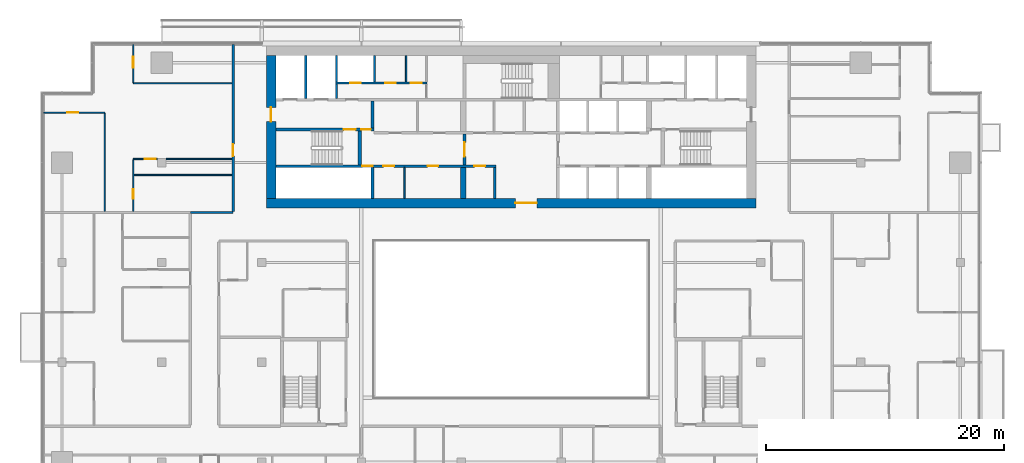
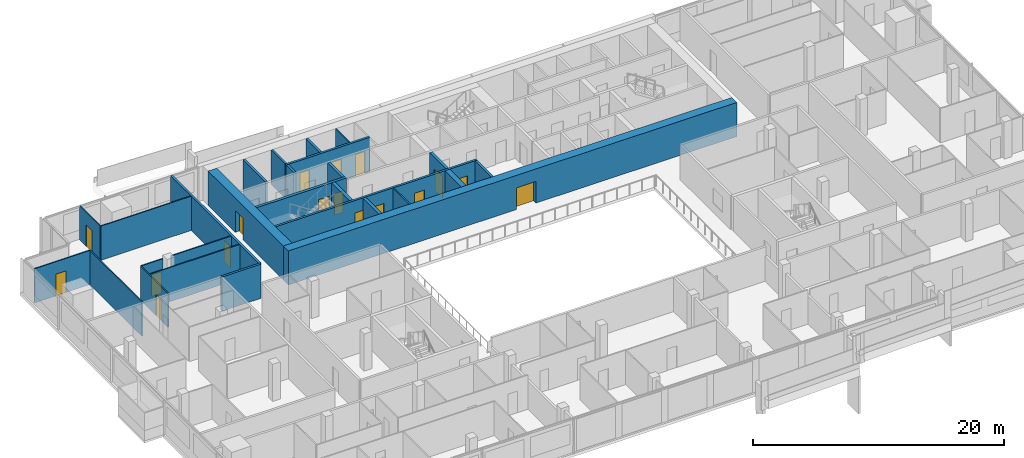
# One storey, part 20 of 28: 27 walls, 17 doors, 17 openings.
"""IFC4 building model written with IfcOpenShell, lengths in metres."""

from ifc_helpers import new_model, si_unit, direction, frame, frame_2d, origin, place, context, subcontext, project, spatial, rectangle, extrude, material, layer, layer_set, type_object, element, fill, save


model = new_model("IFC4")

# Units and contexts
model_context = context("Model", 3, precision=1e-05, world=origin(), true_north=direction((0.0, 1.0)))
body_context = subcontext(model_context, "Body", "Model", "MODEL_VIEW")
ifc_project = project(units=[si_unit("LENGTHUNIT", "METRE"), si_unit("AREAUNIT", "SQUARE_METRE"), si_unit("VOLUMEUNIT", "CUBIC_METRE"), si_unit("PLANEANGLEUNIT", "RADIAN"), si_unit("MASSUNIT", "GRAM", prefix="KILO")], contexts=[model_context])

# Site, building, storey
site_placement = place(None, origin())
site = spatial("IfcSite", under=ifc_project, at=site_placement, CompositionType="ELEMENT")
building_placement = place(site_placement, origin())
building = spatial("IfcBuilding", under=site, at=building_placement, Name="Saffron Gate Tower", CompositionType="ELEMENT")
storey_placement = place(building_placement, frame((0.0, 0.0, 176.25)))
storey = spatial("IfcBuildingStorey", under=building, at=storey_placement, Name="L43", CompositionType="ELEMENT", Elevation=176.25)

# Wall
ifc_material_1 = material(Name="Gypsum board partition on steel studs", Category="steel")
ifc_layer_1 = layer(ifc_material_1, 0.199951171875)
ifc_layer_set_1 = layer_set([ifc_layer_1], Name="CW10 Core partition 200")
wall_type_1 = type_object("IfcWallType", Name="CW10 Core partition 200", PredefinedType="PARTITIONING", material=ifc_layer_set_1)
wall_1_placement = place(storey_placement, frame((86.199951171875, 62.39990234375, 0.0), z_axis=(0.0, 0.0, 1.0), x_axis=(0.0, 1.0, 0.0)))
element("IfcWall", 1, at=wall_1_placement, inside=storey, type_object=wall_type_1, Name="Wall CW10-L43-8", PredefinedType="PARTITIONING", context=body_context, shape_type="SweptSolid", body=[
    extrude(rectangle(XDim=2.60009765625, YDim=0.199951171875, at=frame_2d((1.300048828125, 0.0))), origin(), (0.0, 0.0, 1.0), 3.320068359375),
])

# Wall, opening, door
ifc_material_2 = material(Name="Concrete C60", Category="concrete")
ifc_layer_2 = layer(ifc_material_2, 0.800048828125)
ifc_layer_set_2 = layer_set([ifc_layer_2], Name="CW13 RC core wall 800 C60")
wall_type_2 = type_object("IfcWallType", Name="CW13 RC core wall 800 C60", PredefinedType="SOLIDWALL", material=ifc_layer_set_2)
wall_2_placement = place(storey_placement, frame((67.0, 62.0, 0.0), z_axis=(0.0, 0.0, 1.0), x_axis=(1.0, 0.0, 0.0)))
wall_2 = element("IfcWall", 2, at=wall_2_placement, inside=storey, type_object=wall_type_2, Name="Wall CW13-L43-1", PredefinedType="SOLIDWALL", context=body_context, shape_type="SweptSolid", body=[
    extrude(rectangle(XDim=41.199951171875, YDim=0.800048828125, at=frame_2d((20.60009765625, 0.0))), origin(), (0.0, 0.0, 1.0), 3.320068359375),
])
opening_1_placement = place(wall_2_placement, frame((20.949951171875, 0.0, 0.0)))
opening_1 = element("IfcOpeningElement", 3, at=opening_1_placement, cuts=wall_2, Name="Opening CR-09", PredefinedType="OPENING", context=body_context, shape_type="SweptSolid", body=[
    extrude(rectangle(XDim=1.800048828125, YDim=2.10009765625, at=frame_2d((0.89990234375, 1.050048828125))), frame((0.0, 0.41015625, 0.0), z_axis=(0.0, -1.0, 0.0), x_axis=(1.0, 0.0, 0.0)), (0.0, 0.0, 1.0), 0.820068359375),
])
ifc_material_3 = material(Name="Steel fire door set", Category="steel")
door_type_1 = type_object("IfcDoorType", Name="CD1 Core entrance door 1800x2100 EI 120", OperationType="NOTDEFINED", PredefinedType="DOOR", material=ifc_material_3)
door_1_placement = place(opening_1_placement, origin())
door_1 = element("IfcDoor", 4, at=door_1_placement, inside=storey, type_object=door_type_1, Name="DOOR CR-09", OperationType="DOUBLE_DOOR_SINGLE_SWING", OverallHeight=2.10009765625, OverallWidth=1.800048828125, PredefinedType="DOOR", context=body_context, shape_type="SweptSolid", body=[
    extrude(rectangle(XDim=1.800048828125, YDim=2.10009765625, at=frame_2d((0.89990234375, 1.050048828125))), frame((0.0, 0.02490234375, 0.0), z_axis=(0.0, -1.0, 0.0), x_axis=(1.0, 0.0, 0.0)), (0.0, 0.0, 1.0), 0.050048828125),
])
fill(opening_1, door_1)

wall_3_placement = place(storey_placement, frame((67.39990234375, 62.39990234375, 0.0), z_axis=(0.0, 0.0, 1.0), x_axis=(0.0, 1.0, 0.0)))
wall_3 = element("IfcWall", 5, at=wall_3_placement, inside=storey, type_object=wall_type_2, Name="Wall CW13-L43-3", PredefinedType="SOLIDWALL", context=body_context, shape_type="SweptSolid", body=[
    extrude(rectangle(XDim=12.0, YDim=0.800048828125, at=frame_2d((6.0, 0.0))), origin(), (0.0, 0.0, 1.0), 3.320068359375),
])
opening_2_placement = place(wall_3_placement, frame((6.449951171875, 0.0, 0.0)))
opening_2 = element("IfcOpeningElement", 6, at=opening_2_placement, cuts=wall_3, Name="Opening CR-10", PredefinedType="OPENING", context=body_context, shape_type="SweptSolid", body=[
    extrude(rectangle(XDim=1.199951171875, YDim=2.10009765625, at=frame_2d((0.60009765625, 1.050048828125))), frame((0.0, 0.41015625, 0.0), z_axis=(0.0, -1.0, 0.0), x_axis=(1.0, 0.0, 0.0)), (0.0, 0.0, 1.0), 0.820068359375),
])
door_type_2 = type_object("IfcDoorType", Name="CD7 Core entrance door 1200x2100 EI 120", OperationType="NOTDEFINED", PredefinedType="DOOR", material=ifc_material_3)
door_2_placement = place(opening_2_placement, origin())
door_2 = element("IfcDoor", 7, at=door_2_placement, inside=storey, type_object=door_type_2, Name="DOOR CR-10", OperationType="SINGLE_SWING_LEFT", OverallHeight=2.10009765625, OverallWidth=1.199951171875, PredefinedType="DOOR", context=body_context, shape_type="SweptSolid", body=[
    extrude(rectangle(XDim=1.199951171875, YDim=2.10009765625, at=frame_2d((0.60009765625, 1.050048828125))), frame((0.0, 0.02490234375, 0.0), z_axis=(0.0, -1.0, 0.0), x_axis=(1.0, 0.0, 0.0)), (0.0, 0.0, 1.0), 0.050048828125),
])
fill(opening_2, door_2)

# Wall
ifc_layer_3 = layer(ifc_material_2, 0.25)
ifc_layer_set_3 = layer_set([ifc_layer_3], Name="CW14 RC core wall 250 C60")
wall_type_3 = type_object("IfcWallType", Name="CW14 RC core wall 250 C60", PredefinedType="SOLIDWALL", material=ifc_layer_set_3)
wall_4_placement = place(storey_placement, frame((75.925048828125, 62.39990234375, 0.0), z_axis=(0.0, 0.0, 1.0), x_axis=(0.0, 1.0, 0.0)))
element("IfcWall", 8, at=wall_4_placement, inside=storey, type_object=wall_type_3, Name="Wall CW14-L43-5", PredefinedType="SOLIDWALL", context=body_context, shape_type="SweptSolid", body=[
    extrude(rectangle(XDim=2.60009765625, YDim=0.25, at=frame_2d((1.300048828125, 0.0))), origin(), (0.0, 0.0, 1.0), 3.320068359375),
])

# Wall, opening, door
wall_5_placement = place(storey_placement, frame((83.675048828125, 65.199951171875, 0.0), z_axis=(0.0, 0.0, 1.0), x_axis=(0.0, 1.0, 0.0)))
wall_5 = element("IfcWall", 9, at=wall_5_placement, inside=storey, type_object=wall_type_3, Name="Wall CW14-L43-16", PredefinedType="SOLIDWALL", context=body_context, shape_type="SweptSolid", body=[
    extrude(rectangle(XDim=2.60009765625, YDim=0.25, at=frame_2d((1.300048828125, 0.0))), origin(), (0.0, 0.0, 1.0), 3.320068359375),
])
opening_3_placement = place(wall_5_placement, frame((0.699951171875, 0.0, 0.0)))
opening_3 = element("IfcOpeningElement", 10, at=opening_3_placement, cuts=wall_5, Name="Opening CR-07", PredefinedType="OPENING", context=body_context, shape_type="SweptSolid", body=[
    extrude(rectangle(XDim=1.199951171875, YDim=2.10009765625, at=frame_2d((0.60009765625, 1.050048828125))), frame((0.0, 0.135009765625, 0.0), z_axis=(0.0, -1.0, 0.0), x_axis=(1.0, 0.0, 0.0)), (0.0, 0.0, 1.0), 0.27001953125),
])
door_type_3 = type_object("IfcDoorType", Name="CD3 Lobby door 1200x2100 EI 120", OperationType="NOTDEFINED", PredefinedType="DOOR", material=ifc_material_3)
door_3_placement = place(opening_3_placement, origin())
door_3 = element("IfcDoor", 11, at=door_3_placement, inside=storey, type_object=door_type_3, Name="DOOR CR-07", OperationType="SINGLE_SWING_RIGHT", OverallHeight=2.10009765625, OverallWidth=1.199951171875, PredefinedType="DOOR", context=body_context, shape_type="SweptSolid", body=[
    extrude(rectangle(XDim=1.199951171875, YDim=2.10009765625, at=frame_2d((0.60009765625, 1.050048828125))), frame((0.0, 0.02490234375, 0.0), z_axis=(0.0, -1.0, 0.0), x_axis=(1.0, 0.0, 0.0)), (0.0, 0.0, 1.0), 0.050048828125),
])
fill(opening_3, door_3)

# Wall, openings, doors
wall_6_placement = place(storey_placement, frame((67.800048828125, 68.175048828125, 0.0), z_axis=(0.0, 0.0, 1.0), x_axis=(1.0, 0.0, 0.0)))
wall_6 = element("IfcWall", 12, at=wall_6_placement, inside=storey, type_object=wall_type_3, Name="Wall CW14-L43-28", PredefinedType="SOLIDWALL", context=body_context, shape_type="SweptSolid", body=[
    extrude(rectangle(XDim=8.25, YDim=0.25, at=frame_2d((4.125, 0.0))), origin(), (0.0, 0.0, 1.0), 3.320068359375),
])
opening_4_placement = place(wall_6_placement, frame((5.699951171875, 0.0, 0.0)))
opening_4 = element("IfcOpeningElement", 13, at=opening_4_placement, cuts=wall_6, Name="Opening CR-15", PredefinedType="OPENING", context=body_context, shape_type="SweptSolid", body=[
    extrude(rectangle(XDim=1.0, YDim=2.10009765625, at=frame_2d((0.5, 1.050048828125))), frame((0.0, 0.135009765625, 0.0), z_axis=(0.0, -1.0, 0.0), x_axis=(1.0, 0.0, 0.0)), (0.0, 0.0, 1.0), 0.27001953125),
])
opening_5_placement = place(wall_6_placement, frame((7.199951171875, 0.0, 0.0)))
opening_5 = element("IfcOpeningElement", 14, at=opening_5_placement, cuts=wall_6, Name="Opening CR-06", PredefinedType="OPENING", context=body_context, shape_type="SweptSolid", body=[
    extrude(rectangle(XDim=0.800048828125, YDim=2.10009765625, at=frame_2d((0.39990234375, 1.050048828125))), frame((0.0, 0.135009765625, 0.0), z_axis=(0.0, -1.0, 0.0), x_axis=(1.0, 0.0, 0.0)), (0.0, 0.0, 1.0), 0.27001953125),
])
door_type_4 = type_object("IfcDoorType", Name="CD5 Stair door 1000x2100 EI 120", OperationType="NOTDEFINED", PredefinedType="DOOR", material=ifc_material_3)
door_4_placement = place(opening_4_placement, origin())
door_4 = element("IfcDoor", 15, at=door_4_placement, inside=storey, type_object=door_type_4, Name="DOOR CR-15", OperationType="SINGLE_SWING_RIGHT", OverallHeight=2.10009765625, OverallWidth=1.0, PredefinedType="DOOR", context=body_context, shape_type="SweptSolid", body=[
    extrude(rectangle(XDim=1.0, YDim=2.10009765625, at=frame_2d((0.5, 1.050048828125))), frame((0.0, 0.02490234375, 0.0), z_axis=(0.0, -1.0, 0.0), x_axis=(1.0, 0.0, 0.0)), (0.0, 0.0, 1.0), 0.050048828125),
])
fill(opening_4, door_4)
door_type_5 = type_object("IfcDoorType", Name="CD6 Lobby door 800x2100 EI 120", OperationType="NOTDEFINED", PredefinedType="DOOR", material=ifc_material_3)
door_5_placement = place(opening_5_placement, origin())
door_5 = element("IfcDoor", 16, at=door_5_placement, inside=storey, type_object=door_type_5, Name="DOOR CR-06", OperationType="SINGLE_SWING_LEFT", OverallHeight=2.10009765625, OverallWidth=0.800048828125, PredefinedType="DOOR", context=body_context, shape_type="SweptSolid", body=[
    extrude(rectangle(XDim=0.800048828125, YDim=2.10009765625, at=frame_2d((0.39990234375, 1.050048828125))), frame((0.0, 0.02490234375, 0.0), z_axis=(0.0, -1.0, 0.0), x_axis=(1.0, 0.0, 0.0)), (0.0, 0.0, 1.0), 0.050048828125),
])
fill(opening_5, door_5)

# Wall
wall_7_placement = place(storey_placement, frame((75.925048828125, 68.300048828125, 0.0), z_axis=(0.0, 0.0, 1.0), x_axis=(0.0, 1.0, 0.0)))
element("IfcWall", 17, at=wall_7_placement, inside=storey, type_object=wall_type_3, Name="Wall CW14-L43-30", PredefinedType="SOLIDWALL", context=body_context, shape_type="SweptSolid", body=[
    extrude(rectangle(XDim=2.300048828125, YDim=0.25, at=frame_2d((1.14990234375, 0.0))), origin(), (0.0, 0.0, 1.0), 3.320068359375),
])

# Wall, openings, doors
ifc_layer_4 = layer(ifc_material_2, 0.199951171875)
ifc_layer_set_4 = layer_set([ifc_layer_4], Name="CW15 RC core wall 200 C60")
wall_type_4 = type_object("IfcWallType", Name="CW15 RC core wall 200 C60", PredefinedType="SOLIDWALL", material=ifc_layer_set_4)
wall_8_placement = place(storey_placement, frame((67.800048828125, 65.10009765625, 0.0), z_axis=(0.0, 0.0, 1.0), x_axis=(1.0, 0.0, 0.0)))
wall_8 = element("IfcWall", 18, at=wall_8_placement, inside=storey, type_object=wall_type_4, Name="Wall CW15-L43-13", PredefinedType="SOLIDWALL", context=body_context, shape_type="SweptSolid", body=[
    extrude(rectangle(XDim=18.5, YDim=0.199951171875, at=frame_2d((9.25, 0.0))), origin(), (0.0, 0.0, 1.0), 3.320068359375),
])
opening_6_placement = place(wall_8_placement, frame((7.27001953125, 0.0, 0.0)))
opening_6 = element("IfcOpeningElement", 19, at=opening_6_placement, cuts=wall_8, Name="Opening CR-49", PredefinedType="OPENING", context=body_context, shape_type="SweptSolid", body=[
    extrude(rectangle(XDim=0.89990234375, YDim=2.10009765625, at=frame_2d((0.449951171875, 1.050048828125))), frame((0.0, 0.10986328125, 0.0), z_axis=(0.0, -1.0, 0.0), x_axis=(1.0, 0.0, 0.0)), (0.0, 0.0, 1.0), 0.219970703125),
])
opening_7_placement = place(wall_8_placement, frame((9.050048828125, 0.0, 0.0)))
opening_7 = element("IfcOpeningElement", 20, at=opening_7_placement, cuts=wall_8, Name="Opening CR-64", PredefinedType="OPENING", context=body_context, shape_type="SweptSolid", body=[
    extrude(rectangle(XDim=0.89990234375, YDim=2.10009765625, at=frame_2d((0.449951171875, 1.050048828125))), frame((0.0, 0.10986328125, 0.0), z_axis=(0.0, -1.0, 0.0), x_axis=(1.0, 0.0, 0.0)), (0.0, 0.0, 1.0), 0.219970703125),
])
opening_8_placement = place(wall_8_placement, frame((12.760009765625, 0.0, 0.0)))
opening_8 = element("IfcOpeningElement", 21, at=opening_8_placement, cuts=wall_8, Name="Opening CR-65", PredefinedType="OPENING", context=body_context, shape_type="SweptSolid", body=[
    extrude(rectangle(XDim=0.89990234375, YDim=2.10009765625, at=frame_2d((0.449951171875, 1.050048828125))), frame((0.0, 0.10986328125, 0.0), z_axis=(0.0, -1.0, 0.0), x_axis=(1.0, 0.0, 0.0)), (0.0, 0.0, 1.0), 0.219970703125),
])
opening_9_placement = place(wall_8_placement, frame((16.699951171875, 0.0, 0.0)))
opening_9 = element("IfcOpeningElement", 22, at=opening_9_placement, cuts=wall_8, Name="Opening CR-69", PredefinedType="OPENING", context=body_context, shape_type="SweptSolid", body=[
    extrude(rectangle(XDim=0.89990234375, YDim=2.10009765625, at=frame_2d((0.449951171875, 1.050048828125))), frame((0.0, 0.10986328125, 0.0), z_axis=(0.0, -1.0, 0.0), x_axis=(1.0, 0.0, 0.0)), (0.0, 0.0, 1.0), 0.219970703125),
])
door_type_6 = type_object("IfcDoorType", Name="CD2 Riser door 900x2100 EI 60", OperationType="NOTDEFINED", PredefinedType="DOOR", material=ifc_material_3)
door_6_placement = place(opening_6_placement, origin())
door_6 = element("IfcDoor", 23, at=door_6_placement, inside=storey, type_object=door_type_6, Name="DOOR CR-49", OperationType="SINGLE_SWING_LEFT", OverallHeight=2.10009765625, OverallWidth=0.89990234375, PredefinedType="DOOR", context=body_context, shape_type="SweptSolid", body=[
    extrude(rectangle(XDim=0.89990234375, YDim=2.10009765625, at=frame_2d((0.449951171875, 1.050048828125))), frame((0.0, 0.02490234375, 0.0), z_axis=(0.0, -1.0, 0.0), x_axis=(1.0, 0.0, 0.0)), (0.0, 0.0, 1.0), 0.050048828125),
])
fill(opening_6, door_6)
door_type_7 = type_object("IfcDoorType", Name="CD9 Room door 900x2100 EI 60", OperationType="NOTDEFINED", PredefinedType="DOOR", material=ifc_material_3)
door_7_placement = place(opening_7_placement, origin())
door_7 = element("IfcDoor", 24, at=door_7_placement, inside=storey, type_object=door_type_7, Name="DOOR CR-64", OperationType="SINGLE_SWING_RIGHT", OverallHeight=2.10009765625, OverallWidth=0.89990234375, PredefinedType="DOOR", context=body_context, shape_type="SweptSolid", body=[
    extrude(rectangle(XDim=0.89990234375, YDim=2.10009765625, at=frame_2d((0.449951171875, 1.050048828125))), frame((0.0, 0.02490234375, 0.0), z_axis=(0.0, -1.0, 0.0), x_axis=(1.0, 0.0, 0.0)), (0.0, 0.0, 1.0), 0.050048828125),
])
fill(opening_7, door_7)
door_8_placement = place(opening_8_placement, origin())
door_8 = element("IfcDoor", 25, at=door_8_placement, inside=storey, type_object=door_type_7, Name="DOOR CR-65", OperationType="SINGLE_SWING_RIGHT", OverallHeight=2.10009765625, OverallWidth=0.89990234375, PredefinedType="DOOR", context=body_context, shape_type="SweptSolid", body=[
    extrude(rectangle(XDim=0.89990234375, YDim=2.10009765625, at=frame_2d((0.449951171875, 1.050048828125))), frame((0.0, 0.02490234375, 0.0), z_axis=(0.0, -1.0, 0.0), x_axis=(1.0, 0.0, 0.0)), (0.0, 0.0, 1.0), 0.050048828125),
])
fill(opening_8, door_8)
door_9_placement = place(opening_9_placement, origin())
door_9 = element("IfcDoor", 26, at=door_9_placement, inside=storey, type_object=door_type_7, Name="DOOR CR-69", OperationType="SINGLE_SWING_RIGHT", OverallHeight=2.10009765625, OverallWidth=0.89990234375, PredefinedType="DOOR", context=body_context, shape_type="SweptSolid", body=[
    extrude(rectangle(XDim=0.89990234375, YDim=2.10009765625, at=frame_2d((0.449951171875, 1.050048828125))), frame((0.0, 0.02490234375, 0.0), z_axis=(0.0, -1.0, 0.0), x_axis=(1.0, 0.0, 0.0)), (0.0, 0.0, 1.0), 0.050048828125),
])
fill(opening_9, door_9)

# Walls
wall_9_placement = place(storey_placement, frame((70.300048828125, 70.800048828125, 0.0), z_axis=(0.0, 0.0, 1.0), x_axis=(0.0, 1.0, 0.0)))
element("IfcWall", 27, at=wall_9_placement, inside=storey, type_object=wall_type_4, Name="Wall CW15-L43-33", PredefinedType="SOLIDWALL", context=body_context, shape_type="SweptSolid", body=[
    extrude(rectangle(XDim=3.599853515625, YDim=0.199951171875, at=frame_2d((1.7998046875, 0.0))), origin(), (0.0, 0.0, 1.0), 3.320068359375),
])
wall_10_placement = place(storey_placement, frame((72.89990234375, 70.800048828125, 0.0), z_axis=(0.0, 0.0, 1.0), x_axis=(0.0, 1.0, 0.0)))
element("IfcWall", 28, at=wall_10_placement, inside=storey, type_object=wall_type_4, Name="Wall CW15-L43-34", PredefinedType="SOLIDWALL", context=body_context, shape_type="SweptSolid", body=[
    extrude(rectangle(XDim=1.199951171875, YDim=0.199951171875, at=frame_2d((0.60009765625, 0.0))), origin(), (0.0, 0.0, 1.0), 3.320068359375),
])

# Wall, openings, doors
wall_11_placement = place(storey_placement, frame((72.800048828125, 72.10009765625, 0.0), z_axis=(0.0, 0.0, 1.0), x_axis=(1.0, 0.0, 0.0)))
wall_11 = element("IfcWall", 29, at=wall_11_placement, inside=storey, type_object=wall_type_4, Name="Wall CW15-L43-41", PredefinedType="SOLIDWALL", context=body_context, shape_type="SweptSolid", body=[
    extrude(rectangle(XDim=7.719970703125, YDim=0.199951171875, at=frame_2d((3.85986328125, 0.0))), origin(), (0.0, 0.0, 1.0), 3.320068359375),
])
opening_10_placement = place(wall_11_placement, frame((1.25, 0.0, 0.0)))
opening_10 = element("IfcOpeningElement", 30, at=opening_10_placement, cuts=wall_11, Name="Opening CR-71", PredefinedType="OPENING", context=body_context, shape_type="SweptSolid", body=[
    extrude(rectangle(XDim=0.89990234375, YDim=2.10009765625, at=frame_2d((0.449951171875, 1.050048828125))), frame((0.0, 0.10986328125, 0.0), z_axis=(0.0, -1.0, 0.0), x_axis=(1.0, 0.0, 0.0)), (0.0, 0.0, 1.0), 0.219970703125),
])
opening_11_placement = place(wall_11_placement, frame((4.199951171875, 0.0, 0.0)))
opening_11 = element("IfcOpeningElement", 31, at=opening_11_placement, cuts=wall_11, Name="Opening CR-55", PredefinedType="OPENING", context=body_context, shape_type="SweptSolid", body=[
    extrude(rectangle(XDim=0.89990234375, YDim=2.10009765625, at=frame_2d((0.449951171875, 1.050048828125))), frame((0.0, 0.10986328125, 0.0), z_axis=(0.0, -1.0, 0.0), x_axis=(1.0, 0.0, 0.0)), (0.0, 0.0, 1.0), 0.219970703125),
])
opening_12_placement = place(wall_11_placement, frame((6.360107421875, 0.0, 0.0)))
opening_12 = element("IfcOpeningElement", 32, at=opening_12_placement, cuts=wall_11, Name="Opening CR-58", PredefinedType="OPENING", context=body_context, shape_type="SweptSolid", body=[
    extrude(rectangle(XDim=0.89990234375, YDim=2.10009765625, at=frame_2d((0.449951171875, 1.050048828125))), frame((0.0, 0.10986328125, 0.0), z_axis=(0.0, -1.0, 0.0), x_axis=(1.0, 0.0, 0.0)), (0.0, 0.0, 1.0), 0.219970703125),
])
door_10_placement = place(opening_10_placement, origin())
door_10 = element("IfcDoor", 33, at=door_10_placement, inside=storey, type_object=door_type_6, Name="DOOR CR-71", OperationType="SINGLE_SWING_LEFT", OverallHeight=2.10009765625, OverallWidth=0.89990234375, PredefinedType="DOOR", context=body_context, shape_type="SweptSolid", body=[
    extrude(rectangle(XDim=0.89990234375, YDim=2.10009765625, at=frame_2d((0.449951171875, 1.050048828125))), frame((0.0, 0.02490234375, 0.0), z_axis=(0.0, -1.0, 0.0), x_axis=(1.0, 0.0, 0.0)), (0.0, 0.0, 1.0), 0.050048828125),
])
fill(opening_10, door_10)
door_11_placement = place(opening_11_placement, origin())
door_11 = element("IfcDoor", 34, at=door_11_placement, inside=storey, type_object=door_type_7, Name="DOOR CR-55", OperationType="SINGLE_SWING_LEFT", OverallHeight=2.10009765625, OverallWidth=0.89990234375, PredefinedType="DOOR", context=body_context, shape_type="SweptSolid", body=[
    extrude(rectangle(XDim=0.89990234375, YDim=2.10009765625, at=frame_2d((0.449951171875, 1.050048828125))), frame((0.0, 0.02490234375, 0.0), z_axis=(0.0, -1.0, 0.0), x_axis=(1.0, 0.0, 0.0)), (0.0, 0.0, 1.0), 0.050048828125),
])
fill(opening_11, door_11)
door_12_placement = place(opening_12_placement, origin())
door_12 = element("IfcDoor", 35, at=door_12_placement, inside=storey, type_object=door_type_7, Name="DOOR CR-58", OperationType="SINGLE_SWING_LEFT", OverallHeight=2.10009765625, OverallWidth=0.89990234375, PredefinedType="DOOR", context=body_context, shape_type="SweptSolid", body=[
    extrude(rectangle(XDim=0.89990234375, YDim=2.10009765625, at=frame_2d((0.449951171875, 1.050048828125))), frame((0.0, 0.02490234375, 0.0), z_axis=(0.0, -1.0, 0.0), x_axis=(1.0, 0.0, 0.0)), (0.0, 0.0, 1.0), 0.050048828125),
])
fill(opening_12, door_12)

# Walls
for number, where, z_axis, x_axis, name in (
    (36, (72.89990234375, 72.199951171875, 0.0), (0.0, 0.0, 1.0), (0.0, 1.0, 0.0), "Wall CW15-L43-43"),
    (37, (76.10009765625, 72.199951171875, 0.0), (0.0, 0.0, 1.0), (0.0, 1.0, 0.0), "Wall CW15-L43-44"),
):
    element("IfcWall", number, at=place(storey_placement, frame(where, z_axis=z_axis, x_axis=x_axis)), inside=storey, type_object=wall_type_4, Name=name, PredefinedType="SOLIDWALL", context=body_context, shape_type="SweptSolid", body=[
        extrude(rectangle(XDim=2.199951171875, YDim=0.199951171875, at=frame_2d((1.10009765625, 0.0))), origin(), (0.0, 0.0, 1.0), 3.320068359375),
    ])
ifc_layer_5 = layer(ifc_material_2, 0.449951171875)
ifc_layer_set_5 = layer_set([ifc_layer_5], Name="CW16 RC core wall 450 C60")
wall_type_5 = type_object("IfcWallType", Name="CW16 RC core wall 450 C60", PredefinedType="SOLIDWALL", material=ifc_layer_set_5)
wall_12_placement = place(storey_placement, frame((83.574951171875, 62.39990234375, 0.0), z_axis=(0.0, 0.0, 1.0), x_axis=(0.0, 1.0, 0.0)))
element("IfcWall", 38, at=wall_12_placement, inside=storey, type_object=wall_type_5, Name="Wall CW16-L43-7", PredefinedType="SOLIDWALL", context=body_context, shape_type="SweptSolid", body=[
    extrude(rectangle(XDim=2.60009765625, YDim=0.449951171875, at=frame_2d((1.300048828125, 0.0))), origin(), (0.0, 0.0, 1.0), 3.320068359375),
])
ifc_layer_6 = layer(ifc_material_2, 0.300048828125)
ifc_layer_set_6 = layer_set([ifc_layer_6], Name="CW17 RC core wall 300 C60")
wall_type_6 = type_object("IfcWallType", Name="CW17 RC core wall 300 C60", PredefinedType="SOLIDWALL", material=ifc_layer_set_6)
wall_13_placement = place(storey_placement, frame((74.85009765625, 65.199951171875, 0.0), z_axis=(0.0, 0.0, 1.0), x_axis=(0.0, 1.0, 0.0)))
element("IfcWall", 39, at=wall_13_placement, inside=storey, type_object=wall_type_6, Name="Wall CW17-L43-15", PredefinedType="SOLIDWALL", context=body_context, shape_type="SweptSolid", body=[
    extrude(rectangle(XDim=2.85009765625, YDim=0.300048828125, at=frame_2d((1.425048828125, 0.0))), origin(), (0.0, 0.0, 1.0), 3.320068359375),
])
ifc_layer_7 = layer(ifc_material_1, 0.1201171875)
ifc_layer_set_7 = layer_set([ifc_layer_7], Name="CW8 Core partition 120")
wall_type_7 = type_object("IfcWallType", Name="CW8 Core partition 120", PredefinedType="PARTITIONING", material=ifc_layer_set_7)
wall_14_placement = place(storey_placement, frame((78.610107421875, 62.39990234375, 0.0), z_axis=(0.0, 0.0, 1.0), x_axis=(0.0, 1.0, 0.0)))
element("IfcWall", 40, at=wall_14_placement, inside=storey, type_object=wall_type_7, Name="Wall CW8-L43-6", PredefinedType="PARTITIONING", context=body_context, shape_type="SweptSolid", body=[
    extrude(rectangle(XDim=2.60009765625, YDim=0.1201171875, at=frame_2d((1.300048828125, 0.0))), origin(), (0.0, 0.0, 1.0), 3.320068359375),
])
wall_15_placement = place(storey_placement, frame((78.760009765625, 72.199951171875, 0.0), z_axis=(0.0, 0.0, 1.0), x_axis=(0.0, 1.0, 0.0)))
element("IfcWall", 41, at=wall_15_placement, inside=storey, type_object=wall_type_7, Name="Wall CW8-L43-45", PredefinedType="PARTITIONING", context=body_context, shape_type="SweptSolid", body=[
    extrude(rectangle(XDim=2.199951171875, YDim=0.1201171875, at=frame_2d((1.10009765625, 0.0))), origin(), (0.0, 0.0, 1.0), 3.320068359375),
])
ifc_material_4 = material(Name="Plasterboard on steel studs", Category="steel")
ifc_layer_8 = layer(ifc_material_4, 0.10009765625)
ifc_layer_set_8 = layer_set([ifc_layer_8], Name="PW1 Partition 100")
wall_type_8 = type_object("IfcWallType", Name="PW1 Partition 100", PredefinedType="PARTITIONING", material=ifc_layer_set_8)
wall_16_placement = place(storey_placement, frame((55.85009765625, 64.354736328125, 0.0), z_axis=(0.0, 0.0, 1.0), x_axis=(1.0, 0.0, 0.0)))
element("IfcWall", 42, at=wall_16_placement, inside=storey, type_object=wall_type_8, Name="Partition C3-45", PredefinedType="PARTITIONING", context=body_context, shape_type="SweptSolid", body=[
    extrude(rectangle(XDim=8.25, YDim=0.10009765625, at=frame_2d((4.125, 0.0))), origin(), (0.0, 0.0, 1.0), 3.320068359375),
])

# Wall, opening, door
wall_17_placement = place(storey_placement, frame((57.830078125, 65.699951171875, 0.0), z_axis=(0.0, 0.0, 1.0), x_axis=(-1.0, 0.0, 0.0)))
wall_17 = element("IfcWall", 43, at=wall_17_placement, inside=storey, type_object=wall_type_8, Name="Partition C3-48", PredefinedType="PARTITIONING", context=body_context, shape_type="SweptSolid", body=[
    extrude(rectangle(XDim=2.030029296875, YDim=0.10009765625, at=frame_2d((1.01513671875, 0.0))), origin(), (0.0, 0.0, 1.0), 3.320068359375),
])
opening_13_placement = place(wall_17_placement, frame((0.14990234375, 0.0, 0.0)))
opening_13 = element("IfcOpeningElement", 44, at=opening_13_placement, cuts=wall_17, Name="Opening C3-31", PredefinedType="OPENING", context=body_context, shape_type="SweptSolid", body=[
    extrude(rectangle(XDim=0.89990234375, YDim=2.10009765625, at=frame_2d((0.449951171875, 1.050048828125))), frame((0.0, 0.06005859375, 0.0), z_axis=(0.0, -1.0, 0.0), x_axis=(1.0, 0.0, 0.0)), (0.0, 0.0, 1.0), 0.1201171875),
])
ifc_material_5 = material(Name="Timber door set", Category="wood")
door_type_8 = type_object("IfcDoorType", Name="RD1 Room door 900x2100", OperationType="NOTDEFINED", PredefinedType="DOOR", material=ifc_material_5)
door_13_placement = place(opening_13_placement, origin())
door_13 = element("IfcDoor", 45, at=door_13_placement, inside=storey, type_object=door_type_8, Name="Door C3-31", OperationType="SINGLE_SWING_LEFT", OverallHeight=2.10009765625, OverallWidth=0.89990234375, PredefinedType="DOOR", context=body_context, shape_type="SweptSolid", body=[
    extrude(rectangle(XDim=0.89990234375, YDim=2.10009765625, at=frame_2d((0.449951171875, 1.050048828125))), frame((0.0, 0.02490234375, 0.0), z_axis=(0.0, -1.0, 0.0), x_axis=(1.0, 0.0, 0.0)), (0.0, 0.0, 1.0), 0.050048828125),
])
fill(opening_13, door_13)

# Wall
wall_18_placement = place(storey_placement, frame((58.570068359375, 65.699951171875, 0.0), z_axis=(0.0, 0.0, 1.0), x_axis=(1.0, 0.0, 0.0)))
element("IfcWall", 46, at=wall_18_placement, inside=storey, type_object=wall_type_8, Name="Partition C3-49", PredefinedType="PARTITIONING", context=body_context, shape_type="SweptSolid", body=[
    extrude(rectangle(XDim=5.530029296875, YDim=0.10009765625, at=frame_2d((2.76513671875, 0.0))), origin(), (0.0, 0.0, 1.0), 3.320068359375),
])

# Wall, opening, door
wall_19_placement = place(storey_placement, frame((53.39990234375, 69.60009765625, 0.0), z_axis=(0.0, 0.0, 1.0), x_axis=(-1.0, 0.0, 0.0)))
wall_19 = element("IfcWall", 47, at=wall_19_placement, inside=storey, type_object=wall_type_8, Name="Partition C3-51", PredefinedType="PARTITIONING", context=body_context, shape_type="SweptSolid", body=[
    extrude(rectangle(XDim=5.119873046875, YDim=0.10009765625, at=frame_2d((2.56005859375, 0.0))), origin(), (0.0, 0.0, 1.0), 3.320068359375),
])
opening_14_placement = place(wall_19_placement, frame((2.25, 0.0, 0.0)))
opening_14 = element("IfcOpeningElement", 48, at=opening_14_placement, cuts=wall_19, Name="Opening C3-29", PredefinedType="OPENING", context=body_context, shape_type="SweptSolid", body=[
    extrude(rectangle(XDim=0.89990234375, YDim=2.10009765625, at=frame_2d((0.449951171875, 1.050048828125))), frame((0.0, 0.06005859375, 0.0), z_axis=(0.0, -1.0, 0.0), x_axis=(1.0, 0.0, 0.0)), (0.0, 0.0, 1.0), 0.1201171875),
])
door_14_placement = place(opening_14_placement, origin())
door_14 = element("IfcDoor", 49, at=door_14_placement, inside=storey, type_object=door_type_8, Name="Door C3-29", OperationType="SINGLE_SWING_RIGHT", OverallHeight=2.10009765625, OverallWidth=0.89990234375, PredefinedType="DOOR", context=body_context, shape_type="SweptSolid", body=[
    extrude(rectangle(XDim=0.89990234375, YDim=2.10009765625, at=frame_2d((0.449951171875, 1.050048828125))), frame((0.0, 0.02490234375, 0.0), z_axis=(0.0, -1.0, 0.0), x_axis=(1.0, 0.0, 0.0)), (0.0, 0.0, 1.0), 0.050048828125),
])
fill(opening_14, door_14)

# Walls
wall_20_placement = place(storey_placement, frame((55.800048828125, 72.0810546875, 0.0), z_axis=(0.0, 0.0, 1.0), x_axis=(1.0, 0.0, 0.0)))
element("IfcWall", 50, at=wall_20_placement, inside=storey, type_object=wall_type_8, Name="Partition C3-54", PredefinedType="PARTITIONING", context=body_context, shape_type="SweptSolid", body=[
    extrude(rectangle(XDim=8.300048828125, YDim=0.10009765625, at=frame_2d((4.14990234375, 0.0))), origin(), (0.0, 0.0, 1.0), 3.320068359375),
])
wall_21_placement = place(storey_placement, frame((53.39990234375, 69.550048828125, 0.0), z_axis=(0.0, 0.0, 1.0), x_axis=(0.0, -1.0, 0.0)))
element("IfcWall", 51, at=wall_21_placement, inside=storey, type_object=wall_type_8, Name="Partition C3-59", PredefinedType="PARTITIONING", context=body_context, shape_type="SweptSolid", body=[
    extrude(rectangle(XDim=8.25, YDim=0.10009765625, at=frame_2d((4.125, 0.0))), origin(), (0.0, 0.0, 1.0), 3.320068359375),
])

# Wall, opening, door
wall_22_placement = place(storey_placement, frame((55.800048828125, 65.64990234375, 0.0), z_axis=(0.0, 0.0, 1.0), x_axis=(0.0, -1.0, 0.0)))
wall_22 = element("IfcWall", 52, at=wall_22_placement, inside=storey, type_object=wall_type_8, Name="Partition C3-64", PredefinedType="PARTITIONING", context=body_context, shape_type="SweptSolid", body=[
    extrude(rectangle(XDim=4.349853515625, YDim=0.10009765625, at=frame_2d((2.1748046875, 0.0))), origin(), (0.0, 0.0, 1.0), 3.320068359375),
])
opening_15_placement = place(wall_22_placement, frame((2.47265625, 0.0, 0.0)))
opening_15 = element("IfcOpeningElement", 53, at=opening_15_placement, cuts=wall_22, Name="Opening C3-49", PredefinedType="OPENING", context=body_context, shape_type="SweptSolid", body=[
    extrude(rectangle(XDim=0.800048828125, YDim=2.10009765625, at=frame_2d((0.39990234375, 1.050048828125))), frame((0.0, 0.06005859375, 0.0), z_axis=(0.0, -1.0, 0.0), x_axis=(1.0, 0.0, 0.0)), (0.0, 0.0, 1.0), 0.1201171875),
])
door_type_9 = type_object("IfcDoorType", Name="RD2 Bathroom door 800x2100", OperationType="NOTDEFINED", PredefinedType="DOOR", material=ifc_material_5)
door_15_placement = place(opening_15_placement, origin())
door_15 = element("IfcDoor", 54, at=door_15_placement, inside=storey, type_object=door_type_9, Name="Door C3-49", OperationType="SINGLE_SWING_RIGHT", OverallHeight=2.10009765625, OverallWidth=0.800048828125, PredefinedType="DOOR", context=body_context, shape_type="SweptSolid", body=[
    extrude(rectangle(XDim=0.800048828125, YDim=2.10009765625, at=frame_2d((0.39990234375, 1.050048828125))), frame((0.0, 0.02490234375, 0.0), z_axis=(0.0, -1.0, 0.0), x_axis=(1.0, 0.0, 0.0)), (0.0, 0.0, 1.0), 0.050048828125),
])
fill(opening_15, door_15)

wall_23_placement = place(storey_placement, frame((55.800048828125, 75.320068359375, 0.0), z_axis=(0.0, 0.0, 1.0), x_axis=(0.0, -1.0, 0.0)))
wall_23 = element("IfcWall", 55, at=wall_23_placement, inside=storey, type_object=wall_type_8, Name="Partition C3-65", PredefinedType="PARTITIONING", context=body_context, shape_type="SweptSolid", body=[
    extrude(rectangle(XDim=3.18896484375, YDim=0.10009765625, at=frame_2d((1.594482421875, 0.0))), origin(), (0.0, 0.0, 1.0), 3.320068359375),
])
opening_16_placement = place(wall_23_placement, frame((1.029541015625, 0.0, 0.0)))
opening_16 = element("IfcOpeningElement", 56, at=opening_16_placement, cuts=wall_23, Name="Opening C3-30", PredefinedType="OPENING", context=body_context, shape_type="SweptSolid", body=[
    extrude(rectangle(XDim=0.89990234375, YDim=2.10009765625, at=frame_2d((0.449951171875, 1.050048828125))), frame((0.0, 0.06005859375, 0.0), z_axis=(0.0, -1.0, 0.0), x_axis=(1.0, 0.0, 0.0)), (0.0, 0.0, 1.0), 0.1201171875),
])
door_16_placement = place(opening_16_placement, origin())
door_16 = element("IfcDoor", 57, at=door_16_placement, inside=storey, type_object=door_type_8, Name="Door C3-30", OperationType="SINGLE_SWING_LEFT", OverallHeight=2.10009765625, OverallWidth=0.89990234375, PredefinedType="DOOR", context=body_context, shape_type="SweptSolid", body=[
    extrude(rectangle(XDim=0.89990234375, YDim=2.10009765625, at=frame_2d((0.449951171875, 1.050048828125))), frame((0.0, 0.02490234375, 0.0), z_axis=(0.0, -1.0, 0.0), x_axis=(1.0, 0.0, 0.0)), (0.0, 0.0, 1.0), 0.050048828125),
])
fill(opening_16, door_16)

# Wall
ifc_material_6 = material(Name="Clay brick masonry, rendered", Category="masonry")
ifc_layer_9 = layer(ifc_material_6, 0.199951171875)
ifc_layer_set_9 = layer_set([ifc_layer_9], Name="PW3 Corridor wall 200")
wall_type_9 = type_object("IfcWallType", Name="PW3 Corridor wall 200", PredefinedType="PARTITIONING", material=ifc_layer_set_9)
wall_24_placement = place(storey_placement, frame((60.60009765625, 61.199951171875, 0.0), z_axis=(0.0, 0.0, 1.0), x_axis=(1.0, 0.0, 0.0)))
element("IfcWall", 58, at=wall_24_placement, inside=storey, type_object=wall_type_9, Name="Wall C3-41", PredefinedType="PARTITIONING", context=body_context, shape_type="SweptSolid", body=[
    extrude(rectangle(XDim=3.599853515625, YDim=0.199951171875, at=frame_2d((1.7998046875, 0.0))), origin(), (0.0, 0.0, 1.0), 3.320068359375),
])

# Wall, opening, door
wall_25_placement = place(storey_placement, frame((64.199951171875, 61.300048828125, 0.0), z_axis=(0.0, 0.0, 1.0), x_axis=(0.0, 1.0, 0.0)))
wall_25 = element("IfcWall", 59, at=wall_25_placement, inside=storey, type_object=wall_type_9, Name="Wall C3-73", PredefinedType="PARTITIONING", context=body_context, shape_type="SweptSolid", body=[
    extrude(rectangle(XDim=14.02001953125, YDim=0.199951171875, at=frame_2d((7.010009765625, 0.0))), origin(), (0.0, 0.0, 1.0), 3.320068359375),
])
opening_17_placement = place(wall_25_placement, frame((4.64990234375, 0.0, 0.0)))
opening_17 = element("IfcOpeningElement", 60, at=opening_17_placement, cuts=wall_25, Name="Opening C3-6", PredefinedType="OPENING", context=body_context, shape_type="SweptSolid", body=[
    extrude(rectangle(XDim=1.0, YDim=2.10009765625, at=frame_2d((0.5, 1.050048828125))), frame((0.0, 0.10986328125, 0.0), z_axis=(0.0, -1.0, 0.0), x_axis=(1.0, 0.0, 0.0)), (0.0, 0.0, 1.0), 0.219970703125),
])
ifc_material_7 = material(Name="Timber fire door set", Category="wood")
door_type_10 = type_object("IfcDoorType", Name="FD1 Flat entry door 1000x2100", OperationType="NOTDEFINED", PredefinedType="DOOR", material=ifc_material_7)
door_17_placement = place(opening_17_placement, origin())
door_17 = element("IfcDoor", 61, at=door_17_placement, inside=storey, type_object=door_type_10, Name="Door C3-6", OperationType="SINGLE_SWING_LEFT", OverallHeight=2.10009765625, OverallWidth=1.0, PredefinedType="DOOR", context=body_context, shape_type="SweptSolid", body=[
    extrude(rectangle(XDim=1.0, YDim=2.10009765625, at=frame_2d((0.5, 1.050048828125))), frame((0.0, 0.02490234375, 0.0), z_axis=(0.0, -1.0, 0.0), x_axis=(1.0, 0.0, 0.0)), (0.0, 0.0, 1.0), 0.050048828125),
])
fill(opening_17, door_17)

save(model, "model.ifc")
